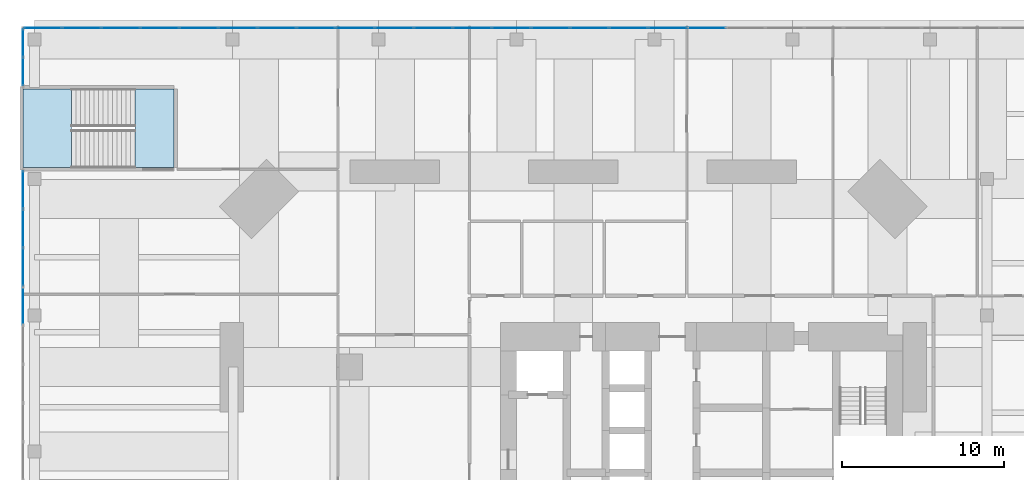
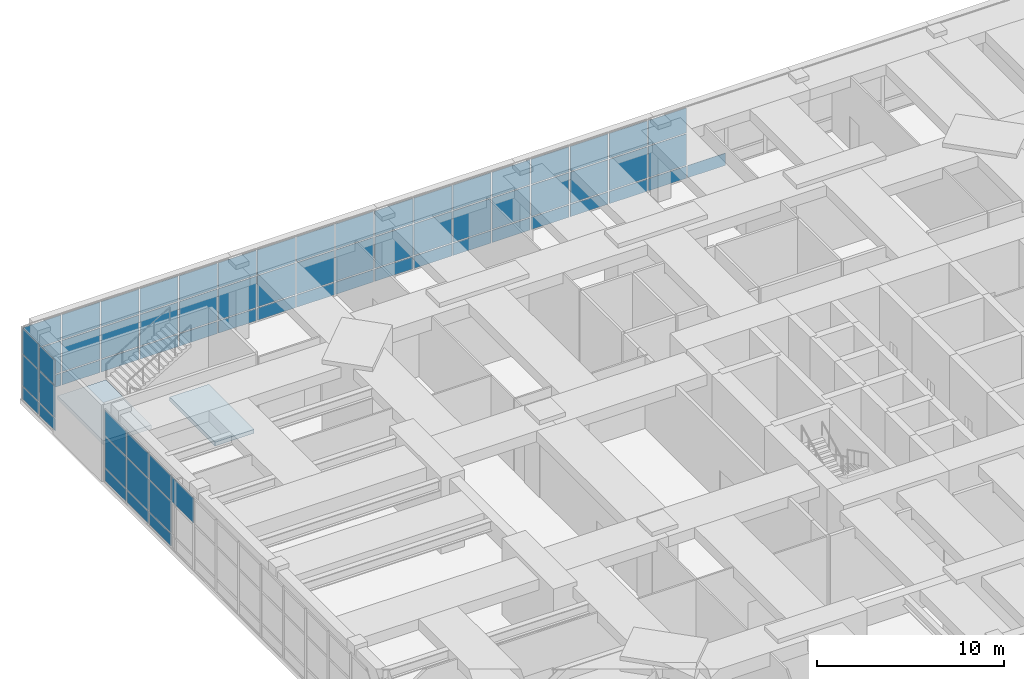
# One storey, part 16 of 24: 68 plates, 2 slabs, 4 elements without a shape of their own.
"""IFC4 building model written with IfcOpenShell, lengths in metres."""

from ifc_helpers import new_model, si_unit, direction, frame, origin, origin_2d, place, context, subcontext, project, spatial, polyline, rectangle, outline, extrude, material, layer, layer_set, type_object, element, aggregate, save


model = new_model("IFC4")

# Units and contexts
model_context = context("Model", 3, precision=1e-05, world=origin(), true_north=direction((0.0, 1.0)))
body_context = subcontext(model_context, "Body", "Model", "MODEL_VIEW")
ifc_project = project(units=[si_unit("LENGTHUNIT", "METRE"), si_unit("AREAUNIT", "SQUARE_METRE"), si_unit("VOLUMEUNIT", "CUBIC_METRE"), si_unit("PLANEANGLEUNIT", "RADIAN"), si_unit("MASSUNIT", "GRAM", prefix="KILO")], contexts=[model_context])

# Site, building, storey
site_placement = place(None, origin())
site = spatial("IfcSite", under=ifc_project, at=site_placement, CompositionType="ELEMENT")
building_placement = place(site_placement, origin())
building = spatial("IfcBuilding", under=site, at=building_placement, Name="Jalousie Tower", CompositionType="ELEMENT")
storey_placement = place(building_placement, frame((0.0, 0.0, 11.0)))
storey = spatial("IfcBuildingStorey", under=building, at=storey_placement, Name="L02", CompositionType="ELEMENT", Elevation=11.0)

# Curtain wall, plates
ifc_material_1 = material(Name="Aluminium curtain wall", Category="aluminium")
curtain_wall_type = type_object("IfcCurtainWallType", Name="PODIUM WINDOW WALL", PredefinedType="USERDEFINED", material=ifc_material_1)
curtain_wall_1_placement = place(storey_placement, origin())
curtain_wall_1 = element("IfcCurtainWall", 1, at=curtain_wall_1_placement, inside=storey, type_object=curtain_wall_type, Name="Podium Window Wall L02 21", ObjectType="PODIUM WINDOW WALL", PredefinedType="USERDEFINED")
ifc_material_2 = material(Name="Laminated impact-rated glass", Category="glass")
ifc_layer_1 = layer(ifc_material_2, 0.030029296875)
ifc_layer_set_1 = layer_set([ifc_layer_1], Name="Laminated impact-rated glass")
plate_type = type_object("IfcPlateType", Name="PODIUM WINDOW WALL PANEL", PredefinedType="CURTAIN_PANEL", material=ifc_layer_set_1)
plate_1_placement = place(storey_placement, frame((32.223388671875, 45.91259765625, 0.070068359375), z_axis=(0.0, 0.0, 1.0), x_axis=(-1.0, 0.0, 0.0)))
plate_1 = element("IfcPlate", 2, at=plate_1_placement, type_object=plate_type, Name="CW-P panel 12.1", PredefinedType="CURTAIN_PANEL", context=body_context, shape_type="SweptSolid", body=[
    extrude(rectangle(XDim=2.337646484375, YDim=0.030029296875, at=origin_2d()), origin(), (0.0, 0.0, 1.0), 0.794921875),
])
plate_2_placement = place(storey_placement, frame((29.8154296875, 45.91259765625, 0.070068359375), z_axis=(0.0, 0.0, 1.0), x_axis=(-1.0, 0.0, 0.0)))
plate_2 = element("IfcPlate", 3, at=plate_2_placement, type_object=plate_type, Name="CW-P panel 13.1", PredefinedType="CURTAIN_PANEL", context=body_context, shape_type="SweptSolid", body=[
    extrude(rectangle(XDim=2.337646484375, YDim=0.030029296875, at=origin_2d()), origin(), (0.0, 0.0, 1.0), 0.794921875),
])
plate_3_placement = place(storey_placement, frame((29.8154296875, 45.91259765625, 0.93505859375), z_axis=(0.0, 0.0, 1.0), x_axis=(-1.0, 0.0, 0.0)))
plate_3 = element("IfcPlate", 4, at=plate_3_placement, type_object=plate_type, Name="CW-P panel 13.2", PredefinedType="CURTAIN_PANEL", context=body_context, shape_type="SweptSolid", body=[
    extrude(rectangle(XDim=2.337646484375, YDim=0.030029296875, at=origin_2d()), origin(), (0.0, 0.0, 1.0), 2.030029296875),
])
plate_4_placement = place(storey_placement, frame((29.8154296875, 45.91259765625, 3.03515625), z_axis=(0.0, 0.0, 1.0), x_axis=(-1.0, 0.0, 0.0)))
plate_4 = element("IfcPlate", 5, at=plate_4_placement, type_object=plate_type, Name="CW-P panel 13.3", PredefinedType="CURTAIN_PANEL", context=body_context, shape_type="SweptSolid", body=[
    extrude(rectangle(XDim=2.337646484375, YDim=0.030029296875, at=origin_2d()), origin(), (0.0, 0.0, 1.0), 1.614990234375),
])
plate_5_placement = place(storey_placement, frame((27.40771484375, 45.91259765625, 0.070068359375), z_axis=(0.0, 0.0, 1.0), x_axis=(-1.0, 0.0, 0.0)))
plate_5 = element("IfcPlate", 6, at=plate_5_placement, type_object=plate_type, Name="CW-P panel 14.1", PredefinedType="CURTAIN_PANEL", context=body_context, shape_type="SweptSolid", body=[
    extrude(rectangle(XDim=2.337646484375, YDim=0.030029296875, at=origin_2d()), origin(), (0.0, 0.0, 1.0), 0.794921875),
])
plate_6_placement = place(storey_placement, frame((27.40771484375, 45.91259765625, 0.93505859375), z_axis=(0.0, 0.0, 1.0), x_axis=(-1.0, 0.0, 0.0)))
plate_6 = element("IfcPlate", 7, at=plate_6_placement, type_object=plate_type, Name="CW-P panel 14.2", PredefinedType="CURTAIN_PANEL", context=body_context, shape_type="SweptSolid", body=[
    extrude(rectangle(XDim=2.337646484375, YDim=0.030029296875, at=origin_2d()), origin(), (0.0, 0.0, 1.0), 2.030029296875),
])
plate_7_placement = place(storey_placement, frame((27.40771484375, 45.91259765625, 3.03515625), z_axis=(0.0, 0.0, 1.0), x_axis=(-1.0, 0.0, 0.0)))
plate_7 = element("IfcPlate", 8, at=plate_7_placement, type_object=plate_type, Name="CW-P panel 14.3", PredefinedType="CURTAIN_PANEL", context=body_context, shape_type="SweptSolid", body=[
    extrude(rectangle(XDim=2.337646484375, YDim=0.030029296875, at=origin_2d()), origin(), (0.0, 0.0, 1.0), 1.614990234375),
])
plate_8_placement = place(storey_placement, frame((25.0, 45.91259765625, 0.070068359375), z_axis=(0.0, 0.0, 1.0), x_axis=(-1.0, 0.0, 0.0)))
plate_8 = element("IfcPlate", 9, at=plate_8_placement, type_object=plate_type, Name="CW-P panel 15.1", PredefinedType="CURTAIN_PANEL", context=body_context, shape_type="SweptSolid", body=[
    extrude(rectangle(XDim=2.337646484375, YDim=0.030029296875, at=origin_2d()), origin(), (0.0, 0.0, 1.0), 0.794921875),
])
plate_9_placement = place(storey_placement, frame((25.0, 45.91259765625, 0.93505859375), z_axis=(0.0, 0.0, 1.0), x_axis=(-1.0, 0.0, 0.0)))
plate_9 = element("IfcPlate", 10, at=plate_9_placement, type_object=plate_type, Name="CW-P panel 15.2", PredefinedType="CURTAIN_PANEL", context=body_context, shape_type="SweptSolid", body=[
    extrude(rectangle(XDim=2.337646484375, YDim=0.030029296875, at=origin_2d()), origin(), (0.0, 0.0, 1.0), 2.030029296875),
])
plate_10_placement = place(storey_placement, frame((25.0, 45.91259765625, 3.03515625), z_axis=(0.0, 0.0, 1.0), x_axis=(-1.0, 0.0, 0.0)))
plate_10 = element("IfcPlate", 11, at=plate_10_placement, type_object=plate_type, Name="CW-P panel 15.3", PredefinedType="CURTAIN_PANEL", context=body_context, shape_type="SweptSolid", body=[
    extrude(rectangle(XDim=2.337646484375, YDim=0.030029296875, at=origin_2d()), origin(), (0.0, 0.0, 1.0), 1.614990234375),
])
plate_11_placement = place(storey_placement, frame((22.59228515625, 45.91259765625, 0.070068359375), z_axis=(0.0, 0.0, 1.0), x_axis=(-1.0, 0.0, 0.0)))
plate_11 = element("IfcPlate", 12, at=plate_11_placement, type_object=plate_type, Name="CW-P panel 16.1", PredefinedType="CURTAIN_PANEL", context=body_context, shape_type="SweptSolid", body=[
    extrude(rectangle(XDim=2.337646484375, YDim=0.030029296875, at=origin_2d()), origin(), (0.0, 0.0, 1.0), 0.794921875),
])
plate_12_placement = place(storey_placement, frame((22.59228515625, 45.91259765625, 0.93505859375), z_axis=(0.0, 0.0, 1.0), x_axis=(-1.0, 0.0, 0.0)))
plate_12 = element("IfcPlate", 13, at=plate_12_placement, type_object=plate_type, Name="CW-P panel 16.2", PredefinedType="CURTAIN_PANEL", context=body_context, shape_type="SweptSolid", body=[
    extrude(rectangle(XDim=2.337646484375, YDim=0.030029296875, at=origin_2d()), origin(), (0.0, 0.0, 1.0), 2.030029296875),
])
plate_13_placement = place(storey_placement, frame((22.59228515625, 45.91259765625, 3.03515625), z_axis=(0.0, 0.0, 1.0), x_axis=(-1.0, 0.0, 0.0)))
plate_13 = element("IfcPlate", 14, at=plate_13_placement, type_object=plate_type, Name="CW-P panel 16.3", PredefinedType="CURTAIN_PANEL", context=body_context, shape_type="SweptSolid", body=[
    extrude(rectangle(XDim=2.337646484375, YDim=0.030029296875, at=origin_2d()), origin(), (0.0, 0.0, 1.0), 1.614990234375),
])
plate_14_placement = place(storey_placement, frame((20.1845703125, 45.91259765625, 0.070068359375), z_axis=(0.0, 0.0, 1.0), x_axis=(-1.0, 0.0, 0.0)))
plate_14 = element("IfcPlate", 15, at=plate_14_placement, type_object=plate_type, Name="CW-P panel 17.1", PredefinedType="CURTAIN_PANEL", context=body_context, shape_type="SweptSolid", body=[
    extrude(rectangle(XDim=2.337646484375, YDim=0.030029296875, at=origin_2d()), origin(), (0.0, 0.0, 1.0), 0.794921875),
])
plate_15_placement = place(storey_placement, frame((20.1845703125, 45.91259765625, 0.93505859375), z_axis=(0.0, 0.0, 1.0), x_axis=(-1.0, 0.0, 0.0)))
plate_15 = element("IfcPlate", 16, at=plate_15_placement, type_object=plate_type, Name="CW-P panel 17.2", PredefinedType="CURTAIN_PANEL", context=body_context, shape_type="SweptSolid", body=[
    extrude(rectangle(XDim=2.337646484375, YDim=0.030029296875, at=origin_2d()), origin(), (0.0, 0.0, 1.0), 2.030029296875),
])
plate_16_placement = place(storey_placement, frame((20.1845703125, 45.91259765625, 3.03515625), z_axis=(0.0, 0.0, 1.0), x_axis=(-1.0, 0.0, 0.0)))
plate_16 = element("IfcPlate", 17, at=plate_16_placement, type_object=plate_type, Name="CW-P panel 17.3", PredefinedType="CURTAIN_PANEL", context=body_context, shape_type="SweptSolid", body=[
    extrude(rectangle(XDim=2.337646484375, YDim=0.030029296875, at=origin_2d()), origin(), (0.0, 0.0, 1.0), 1.614990234375),
])
plate_17_placement = place(storey_placement, frame((17.776611328125, 45.91259765625, 0.070068359375), z_axis=(0.0, 0.0, 1.0), x_axis=(-1.0, 0.0, 0.0)))
plate_17 = element("IfcPlate", 18, at=plate_17_placement, type_object=plate_type, Name="CW-P panel 18.1", PredefinedType="CURTAIN_PANEL", context=body_context, shape_type="SweptSolid", body=[
    extrude(rectangle(XDim=2.337646484375, YDim=0.030029296875, at=origin_2d()), origin(), (0.0, 0.0, 1.0), 0.794921875),
])
plate_18_placement = place(storey_placement, frame((17.776611328125, 45.91259765625, 0.93505859375), z_axis=(0.0, 0.0, 1.0), x_axis=(-1.0, 0.0, 0.0)))
plate_18 = element("IfcPlate", 19, at=plate_18_placement, type_object=plate_type, Name="CW-P panel 18.2", PredefinedType="CURTAIN_PANEL", context=body_context, shape_type="SweptSolid", body=[
    extrude(rectangle(XDim=2.337646484375, YDim=0.030029296875, at=origin_2d()), origin(), (0.0, 0.0, 1.0), 2.030029296875),
])
plate_19_placement = place(storey_placement, frame((17.776611328125, 45.91259765625, 3.03515625), z_axis=(0.0, 0.0, 1.0), x_axis=(-1.0, 0.0, 0.0)))
plate_19 = element("IfcPlate", 20, at=plate_19_placement, type_object=plate_type, Name="CW-P panel 18.3", PredefinedType="CURTAIN_PANEL", context=body_context, shape_type="SweptSolid", body=[
    extrude(rectangle(XDim=2.337646484375, YDim=0.030029296875, at=origin_2d()), origin(), (0.0, 0.0, 1.0), 1.614990234375),
])
plate_20_placement = place(storey_placement, frame((15.368896484375, 45.91259765625, 0.070068359375), z_axis=(0.0, 0.0, 1.0), x_axis=(-1.0, 0.0, 0.0)))
plate_20 = element("IfcPlate", 21, at=plate_20_placement, type_object=plate_type, Name="CW-P panel 19.1", PredefinedType="CURTAIN_PANEL", context=body_context, shape_type="SweptSolid", body=[
    extrude(rectangle(XDim=2.337646484375, YDim=0.030029296875, at=origin_2d()), origin(), (0.0, 0.0, 1.0), 0.794921875),
])
plate_21_placement = place(storey_placement, frame((15.368896484375, 45.91259765625, 0.93505859375), z_axis=(0.0, 0.0, 1.0), x_axis=(-1.0, 0.0, 0.0)))
plate_21 = element("IfcPlate", 22, at=plate_21_placement, type_object=plate_type, Name="CW-P panel 19.2", PredefinedType="CURTAIN_PANEL", context=body_context, shape_type="SweptSolid", body=[
    extrude(rectangle(XDim=2.337646484375, YDim=0.030029296875, at=origin_2d()), origin(), (0.0, 0.0, 1.0), 2.030029296875),
])
plate_22_placement = place(storey_placement, frame((15.368896484375, 45.91259765625, 3.03515625), z_axis=(0.0, 0.0, 1.0), x_axis=(-1.0, 0.0, 0.0)))
plate_22 = element("IfcPlate", 23, at=plate_22_placement, type_object=plate_type, Name="CW-P panel 19.3", PredefinedType="CURTAIN_PANEL", context=body_context, shape_type="SweptSolid", body=[
    extrude(rectangle(XDim=2.337646484375, YDim=0.030029296875, at=origin_2d()), origin(), (0.0, 0.0, 1.0), 1.614990234375),
])
plate_23_placement = place(storey_placement, frame((12.961181640625, 45.91259765625, 0.070068359375), z_axis=(0.0, 0.0, 1.0), x_axis=(-1.0, 0.0, 0.0)))
plate_23 = element("IfcPlate", 24, at=plate_23_placement, type_object=plate_type, Name="CW-P panel 20.1", PredefinedType="CURTAIN_PANEL", context=body_context, shape_type="SweptSolid", body=[
    extrude(rectangle(XDim=2.337646484375, YDim=0.030029296875, at=origin_2d()), origin(), (0.0, 0.0, 1.0), 0.794921875),
])
plate_24_placement = place(storey_placement, frame((12.961181640625, 45.91259765625, 0.93505859375), z_axis=(0.0, 0.0, 1.0), x_axis=(-1.0, 0.0, 0.0)))
plate_24 = element("IfcPlate", 25, at=plate_24_placement, type_object=plate_type, Name="CW-P panel 20.2", PredefinedType="CURTAIN_PANEL", context=body_context, shape_type="SweptSolid", body=[
    extrude(rectangle(XDim=2.337646484375, YDim=0.030029296875, at=origin_2d()), origin(), (0.0, 0.0, 1.0), 2.030029296875),
])
plate_25_placement = place(storey_placement, frame((12.961181640625, 45.91259765625, 3.03515625), z_axis=(0.0, 0.0, 1.0), x_axis=(-1.0, 0.0, 0.0)))
plate_25 = element("IfcPlate", 26, at=plate_25_placement, type_object=plate_type, Name="CW-P panel 20.3", PredefinedType="CURTAIN_PANEL", context=body_context, shape_type="SweptSolid", body=[
    extrude(rectangle(XDim=2.337646484375, YDim=0.030029296875, at=origin_2d()), origin(), (0.0, 0.0, 1.0), 1.614990234375),
])
plate_26_placement = place(storey_placement, frame((10.553466796875, 45.91259765625, 0.070068359375), z_axis=(0.0, 0.0, 1.0), x_axis=(-1.0, 0.0, 0.0)))
plate_26 = element("IfcPlate", 27, at=plate_26_placement, type_object=plate_type, Name="CW-P panel 21.1", PredefinedType="CURTAIN_PANEL", context=body_context, shape_type="SweptSolid", body=[
    extrude(rectangle(XDim=2.337646484375, YDim=0.030029296875, at=origin_2d()), origin(), (0.0, 0.0, 1.0), 0.794921875),
])
plate_27_placement = place(storey_placement, frame((10.553466796875, 45.91259765625, 0.93505859375), z_axis=(0.0, 0.0, 1.0), x_axis=(-1.0, 0.0, 0.0)))
plate_27 = element("IfcPlate", 28, at=plate_27_placement, type_object=plate_type, Name="CW-P panel 21.2", PredefinedType="CURTAIN_PANEL", context=body_context, shape_type="SweptSolid", body=[
    extrude(rectangle(XDim=2.337646484375, YDim=0.030029296875, at=origin_2d()), origin(), (0.0, 0.0, 1.0), 2.030029296875),
])
plate_28_placement = place(storey_placement, frame((10.553466796875, 45.91259765625, 3.03515625), z_axis=(0.0, 0.0, 1.0), x_axis=(-1.0, 0.0, 0.0)))
plate_28 = element("IfcPlate", 29, at=plate_28_placement, type_object=plate_type, Name="CW-P panel 21.3", PredefinedType="CURTAIN_PANEL", context=body_context, shape_type="SweptSolid", body=[
    extrude(rectangle(XDim=2.337646484375, YDim=0.030029296875, at=origin_2d()), origin(), (0.0, 0.0, 1.0), 1.614990234375),
])
plate_29_placement = place(storey_placement, frame((8.145751953125, 45.91259765625, 0.070068359375), z_axis=(0.0, 0.0, 1.0), x_axis=(-1.0, 0.0, 0.0)))
plate_29 = element("IfcPlate", 30, at=plate_29_placement, type_object=plate_type, Name="CW-P panel 22.1", PredefinedType="CURTAIN_PANEL", context=body_context, shape_type="SweptSolid", body=[
    extrude(rectangle(XDim=2.337646484375, YDim=0.030029296875, at=origin_2d()), origin(), (0.0, 0.0, 1.0), 0.794921875),
])
plate_30_placement = place(storey_placement, frame((8.145751953125, 45.91259765625, 0.93505859375), z_axis=(0.0, 0.0, 1.0), x_axis=(-1.0, 0.0, 0.0)))
plate_30 = element("IfcPlate", 31, at=plate_30_placement, type_object=plate_type, Name="CW-P panel 22.2", PredefinedType="CURTAIN_PANEL", context=body_context, shape_type="SweptSolid", body=[
    extrude(rectangle(XDim=2.337646484375, YDim=0.030029296875, at=origin_2d()), origin(), (0.0, 0.0, 1.0), 2.030029296875),
])
plate_31_placement = place(storey_placement, frame((8.145751953125, 45.91259765625, 3.03515625), z_axis=(0.0, 0.0, 1.0), x_axis=(-1.0, 0.0, 0.0)))
plate_31 = element("IfcPlate", 32, at=plate_31_placement, type_object=plate_type, Name="CW-P panel 22.3", PredefinedType="CURTAIN_PANEL", context=body_context, shape_type="SweptSolid", body=[
    extrude(rectangle(XDim=2.337646484375, YDim=0.030029296875, at=origin_2d()), origin(), (0.0, 0.0, 1.0), 1.614990234375),
])
plate_32_placement = place(storey_placement, frame((5.738037109375, 45.91259765625, 0.070068359375), z_axis=(0.0, 0.0, 1.0), x_axis=(-1.0, 0.0, 0.0)))
plate_32 = element("IfcPlate", 33, at=plate_32_placement, type_object=plate_type, Name="CW-P panel 23.1", PredefinedType="CURTAIN_PANEL", context=body_context, shape_type="SweptSolid", body=[
    extrude(rectangle(XDim=2.337646484375, YDim=0.030029296875, at=origin_2d()), origin(), (0.0, 0.0, 1.0), 0.794921875),
])
plate_33_placement = place(storey_placement, frame((5.738037109375, 45.91259765625, 0.93505859375), z_axis=(0.0, 0.0, 1.0), x_axis=(-1.0, 0.0, 0.0)))
plate_33 = element("IfcPlate", 34, at=plate_33_placement, type_object=plate_type, Name="CW-P panel 23.2", PredefinedType="CURTAIN_PANEL", context=body_context, shape_type="SweptSolid", body=[
    extrude(rectangle(XDim=2.337646484375, YDim=0.030029296875, at=origin_2d()), origin(), (0.0, 0.0, 1.0), 2.030029296875),
])
plate_34_placement = place(storey_placement, frame((5.738037109375, 45.91259765625, 3.03515625), z_axis=(0.0, 0.0, 1.0), x_axis=(-1.0, 0.0, 0.0)))
plate_34 = element("IfcPlate", 35, at=plate_34_placement, type_object=plate_type, Name="CW-P panel 23.3", PredefinedType="CURTAIN_PANEL", context=body_context, shape_type="SweptSolid", body=[
    extrude(rectangle(XDim=2.337646484375, YDim=0.030029296875, at=origin_2d()), origin(), (0.0, 0.0, 1.0), 1.614990234375),
])
plate_35_placement = place(storey_placement, frame((3.330078125, 45.91259765625, 0.070068359375), z_axis=(0.0, 0.0, 1.0), x_axis=(-1.0, 0.0, 0.0)))
plate_35 = element("IfcPlate", 36, at=plate_35_placement, type_object=plate_type, Name="CW-P panel 24.1", PredefinedType="CURTAIN_PANEL", context=body_context, shape_type="SweptSolid", body=[
    extrude(rectangle(XDim=2.337646484375, YDim=0.030029296875, at=origin_2d()), origin(), (0.0, 0.0, 1.0), 0.794921875),
])
plate_36_placement = place(storey_placement, frame((3.330078125, 45.91259765625, 0.93505859375), z_axis=(0.0, 0.0, 1.0), x_axis=(-1.0, 0.0, 0.0)))
plate_36 = element("IfcPlate", 37, at=plate_36_placement, type_object=plate_type, Name="CW-P panel 24.2", PredefinedType="CURTAIN_PANEL", context=body_context, shape_type="SweptSolid", body=[
    extrude(rectangle(XDim=2.337646484375, YDim=0.030029296875, at=origin_2d()), origin(), (0.0, 0.0, 1.0), 2.030029296875),
])
plate_37_placement = place(storey_placement, frame((3.330078125, 45.91259765625, 3.03515625), z_axis=(0.0, 0.0, 1.0), x_axis=(-1.0, 0.0, 0.0)))
plate_37 = element("IfcPlate", 38, at=plate_37_placement, type_object=plate_type, Name="CW-P panel 24.3", PredefinedType="CURTAIN_PANEL", context=body_context, shape_type="SweptSolid", body=[
    extrude(rectangle(XDim=2.337646484375, YDim=0.030029296875, at=origin_2d()), origin(), (0.0, 0.0, 1.0), 1.614990234375),
])
plate_38_placement = place(storey_placement, frame((0.92236328125, 45.91259765625, 0.070068359375), z_axis=(0.0, 0.0, 1.0), x_axis=(-1.0, 0.0, 0.0)))
plate_38 = element("IfcPlate", 39, at=plate_38_placement, type_object=plate_type, Name="CW-P panel 25.1", PredefinedType="CURTAIN_PANEL", context=body_context, shape_type="SweptSolid", body=[
    extrude(rectangle(XDim=2.337646484375, YDim=0.030029296875, at=origin_2d()), origin(), (0.0, 0.0, 1.0), 0.794921875),
])
plate_39_placement = place(storey_placement, frame((0.92236328125, 45.91259765625, 0.93505859375), z_axis=(0.0, 0.0, 1.0), x_axis=(-1.0, 0.0, 0.0)))
plate_39 = element("IfcPlate", 40, at=plate_39_placement, type_object=plate_type, Name="CW-P panel 25.2", PredefinedType="CURTAIN_PANEL", context=body_context, shape_type="SweptSolid", body=[
    extrude(rectangle(XDim=2.337646484375, YDim=0.030029296875, at=origin_2d()), origin(), (0.0, 0.0, 1.0), 2.030029296875),
])
plate_40_placement = place(storey_placement, frame((0.92236328125, 45.91259765625, 3.03515625), z_axis=(0.0, 0.0, 1.0), x_axis=(-1.0, 0.0, 0.0)))
plate_40 = element("IfcPlate", 41, at=plate_40_placement, type_object=plate_type, Name="CW-P panel 25.3", PredefinedType="CURTAIN_PANEL", context=body_context, shape_type="SweptSolid", body=[
    extrude(rectangle(XDim=2.337646484375, YDim=0.030029296875, at=origin_2d()), origin(), (0.0, 0.0, 1.0), 1.614990234375),
])
plate_41_placement = place(storey_placement, frame((-1.4853515625, 45.91259765625, 0.070068359375), z_axis=(0.0, 0.0, 1.0), x_axis=(-1.0, 0.0, 0.0)))
plate_41 = element("IfcPlate", 42, at=plate_41_placement, type_object=plate_type, Name="CW-P panel 26.1", PredefinedType="CURTAIN_PANEL", context=body_context, shape_type="SweptSolid", body=[
    extrude(rectangle(XDim=2.337646484375, YDim=0.030029296875, at=origin_2d()), origin(), (0.0, 0.0, 1.0), 0.794921875),
])
plate_42_placement = place(storey_placement, frame((-1.4853515625, 45.91259765625, 0.93505859375), z_axis=(0.0, 0.0, 1.0), x_axis=(-1.0, 0.0, 0.0)))
plate_42 = element("IfcPlate", 43, at=plate_42_placement, type_object=plate_type, Name="CW-P panel 26.2", PredefinedType="CURTAIN_PANEL", context=body_context, shape_type="SweptSolid", body=[
    extrude(rectangle(XDim=2.337646484375, YDim=0.030029296875, at=origin_2d()), origin(), (0.0, 0.0, 1.0), 2.030029296875),
])
plate_43_placement = place(storey_placement, frame((-1.4853515625, 45.91259765625, 3.03515625), z_axis=(0.0, 0.0, 1.0), x_axis=(-1.0, 0.0, 0.0)))
plate_43 = element("IfcPlate", 44, at=plate_43_placement, type_object=plate_type, Name="CW-P panel 26.3", PredefinedType="CURTAIN_PANEL", context=body_context, shape_type="SweptSolid", body=[
    extrude(rectangle(XDim=2.337646484375, YDim=0.030029296875, at=origin_2d()), origin(), (0.0, 0.0, 1.0), 1.614990234375),
])
plate_44_placement = place(storey_placement, frame((-3.89306640625, 45.91259765625, 0.070068359375), z_axis=(0.0, 0.0, 1.0), x_axis=(-1.0, 0.0, 0.0)))
plate_44 = element("IfcPlate", 45, at=plate_44_placement, type_object=plate_type, Name="CW-P panel 27.1", PredefinedType="CURTAIN_PANEL", context=body_context, shape_type="SweptSolid", body=[
    extrude(rectangle(XDim=2.337646484375, YDim=0.030029296875, at=origin_2d()), origin(), (0.0, 0.0, 1.0), 0.794921875),
])
plate_45_placement = place(storey_placement, frame((-3.89306640625, 45.91259765625, 0.93505859375), z_axis=(0.0, 0.0, 1.0), x_axis=(-1.0, 0.0, 0.0)))
plate_45 = element("IfcPlate", 46, at=plate_45_placement, type_object=plate_type, Name="CW-P panel 27.2", PredefinedType="CURTAIN_PANEL", context=body_context, shape_type="SweptSolid", body=[
    extrude(rectangle(XDim=2.337646484375, YDim=0.030029296875, at=origin_2d()), origin(), (0.0, 0.0, 1.0), 2.030029296875),
])
plate_46_placement = place(storey_placement, frame((-3.89306640625, 45.91259765625, 3.03515625), z_axis=(0.0, 0.0, 1.0), x_axis=(-1.0, 0.0, 0.0)))
plate_46 = element("IfcPlate", 47, at=plate_46_placement, type_object=plate_type, Name="CW-P panel 27.3", PredefinedType="CURTAIN_PANEL", context=body_context, shape_type="SweptSolid", body=[
    extrude(rectangle(XDim=2.337646484375, YDim=0.030029296875, at=origin_2d()), origin(), (0.0, 0.0, 1.0), 1.614990234375),
])
plate_47_placement = place(storey_placement, frame((-6.30078125, 45.91259765625, 0.070068359375), z_axis=(0.0, 0.0, 1.0), x_axis=(-1.0, 0.0, 0.0)))
plate_47 = element("IfcPlate", 48, at=plate_47_placement, type_object=plate_type, Name="CW-P panel 28.1", PredefinedType="CURTAIN_PANEL", context=body_context, shape_type="SweptSolid", body=[
    extrude(rectangle(XDim=2.337646484375, YDim=0.030029296875, at=origin_2d()), origin(), (0.0, 0.0, 1.0), 0.794921875),
])
plate_48_placement = place(storey_placement, frame((-6.30078125, 45.91259765625, 0.93505859375), z_axis=(0.0, 0.0, 1.0), x_axis=(-1.0, 0.0, 0.0)))
plate_48 = element("IfcPlate", 49, at=plate_48_placement, type_object=plate_type, Name="CW-P panel 28.2", PredefinedType="CURTAIN_PANEL", context=body_context, shape_type="SweptSolid", body=[
    extrude(rectangle(XDim=2.337646484375, YDim=0.030029296875, at=origin_2d()), origin(), (0.0, 0.0, 1.0), 2.030029296875),
])
plate_49_placement = place(storey_placement, frame((-6.30078125, 45.91259765625, 3.03515625), z_axis=(0.0, 0.0, 1.0), x_axis=(-1.0, 0.0, 0.0)))
plate_49 = element("IfcPlate", 50, at=plate_49_placement, type_object=plate_type, Name="CW-P panel 28.3", PredefinedType="CURTAIN_PANEL", context=body_context, shape_type="SweptSolid", body=[
    extrude(rectangle(XDim=2.337646484375, YDim=0.030029296875, at=origin_2d()), origin(), (0.0, 0.0, 1.0), 1.614990234375),
])
plate_50_placement = place(storey_placement, frame((-8.691162109375, 45.91259765625, 0.070068359375), z_axis=(0.0, 0.0, 1.0), x_axis=(-1.0, 0.0, 0.0)))
plate_50 = element("IfcPlate", 51, at=plate_50_placement, type_object=plate_type, Name="CW-P panel 29.1", PredefinedType="CURTAIN_PANEL", context=body_context, shape_type="SweptSolid", body=[
    extrude(rectangle(XDim=2.302734375, YDim=0.030029296875, at=origin_2d()), origin(), (0.0, 0.0, 1.0), 0.794921875),
])
plate_51_placement = place(storey_placement, frame((-8.691162109375, 45.91259765625, 0.93505859375), z_axis=(0.0, 0.0, 1.0), x_axis=(-1.0, 0.0, 0.0)))
plate_51 = element("IfcPlate", 52, at=plate_51_placement, type_object=plate_type, Name="CW-P panel 29.2", PredefinedType="CURTAIN_PANEL", context=body_context, shape_type="SweptSolid", body=[
    extrude(rectangle(XDim=2.302734375, YDim=0.030029296875, at=origin_2d()), origin(), (0.0, 0.0, 1.0), 2.030029296875),
])
plate_52_placement = place(storey_placement, frame((-8.691162109375, 45.91259765625, 3.03515625), z_axis=(0.0, 0.0, 1.0), x_axis=(-1.0, 0.0, 0.0)))
plate_52 = element("IfcPlate", 53, at=plate_52_placement, type_object=plate_type, Name="CW-P panel 29.3", PredefinedType="CURTAIN_PANEL", context=body_context, shape_type="SweptSolid", body=[
    extrude(rectangle(XDim=2.302734375, YDim=0.030029296875, at=origin_2d()), origin(), (0.0, 0.0, 1.0), 1.614990234375),
])
aggregate(curtain_wall_1, [plate_1, plate_2, plate_3, plate_4, plate_5, plate_6, plate_7, plate_8, plate_9, plate_10, plate_11, plate_12, plate_13, plate_14, plate_15, plate_16, plate_17, plate_18, plate_19, plate_20, plate_21, plate_22, plate_23, plate_24, plate_25, plate_26, plate_27, plate_28, plate_29, plate_30, plate_31, plate_32, plate_33, plate_34, plate_35, plate_36, plate_37, plate_38, plate_39, plate_40, plate_41, plate_42, plate_43, plate_44, plate_45, plate_46, plate_47, plate_48, plate_49, plate_50, plate_51, plate_52])

curtain_wall_2_placement = place(storey_placement, origin())
curtain_wall_2 = element("IfcCurtainWall", 54, at=curtain_wall_2_placement, inside=storey, type_object=curtain_wall_type, Name="Podium Window Wall L02 31", ObjectType="PODIUM WINDOW WALL", PredefinedType="USERDEFINED")
plate_53_placement = place(storey_placement, frame((-9.91259765625, 44.991943359375, 0.070068359375), z_axis=(0.0, 0.0, 1.0), x_axis=(0.0, -1.0, 0.0)))
plate_53 = element("IfcPlate", 55, at=plate_53_placement, type_object=plate_type, Name="CW-P panel 1.1", PredefinedType="CURTAIN_PANEL", context=body_context, shape_type="SweptSolid", body=[
    extrude(rectangle(XDim=1.701171875, YDim=0.030029296875, at=origin_2d()), origin(), (0.0, 0.0, 1.0), 0.794921875),
])
plate_54_placement = place(storey_placement, frame((-9.91259765625, 44.991943359375, 0.93505859375), z_axis=(0.0, 0.0, 1.0), x_axis=(0.0, -1.0, 0.0)))
plate_54 = element("IfcPlate", 56, at=plate_54_placement, type_object=plate_type, Name="CW-P panel 1.2", PredefinedType="CURTAIN_PANEL", context=body_context, shape_type="SweptSolid", body=[
    extrude(rectangle(XDim=1.701171875, YDim=0.030029296875, at=origin_2d()), origin(), (0.0, 0.0, 1.0), 2.030029296875),
])
plate_55_placement = place(storey_placement, frame((-9.91259765625, 44.991943359375, 3.03515625), z_axis=(0.0, 0.0, 1.0), x_axis=(0.0, -1.0, 0.0)))
plate_55 = element("IfcPlate", 57, at=plate_55_placement, type_object=plate_type, Name="CW-P panel 1.3", PredefinedType="CURTAIN_PANEL", context=body_context, shape_type="SweptSolid", body=[
    extrude(rectangle(XDim=1.701171875, YDim=0.030029296875, at=origin_2d()), origin(), (0.0, 0.0, 1.0), 1.614990234375),
])
plate_56_placement = place(storey_placement, frame((-9.91259765625, 43.220703125, 0.070068359375), z_axis=(0.0, 0.0, 1.0), x_axis=(0.0, -1.0, 0.0)))
plate_56 = element("IfcPlate", 58, at=plate_56_placement, type_object=plate_type, Name="CW-P panel 2.1", PredefinedType="CURTAIN_PANEL", context=body_context, shape_type="SweptSolid", body=[
    extrude(rectangle(XDim=1.701171875, YDim=0.030029296875, at=origin_2d()), origin(), (0.0, 0.0, 1.0), 0.794921875),
])
plate_57_placement = place(storey_placement, frame((-9.91259765625, 43.220703125, 0.93505859375), z_axis=(0.0, 0.0, 1.0), x_axis=(0.0, -1.0, 0.0)))
plate_57 = element("IfcPlate", 59, at=plate_57_placement, type_object=plate_type, Name="CW-P panel 2.2", PredefinedType="CURTAIN_PANEL", context=body_context, shape_type="SweptSolid", body=[
    extrude(rectangle(XDim=1.701171875, YDim=0.030029296875, at=origin_2d()), origin(), (0.0, 0.0, 1.0), 2.030029296875),
])
plate_58_placement = place(storey_placement, frame((-9.91259765625, 43.220703125, 3.03515625), z_axis=(0.0, 0.0, 1.0), x_axis=(0.0, -1.0, 0.0)))
plate_58 = element("IfcPlate", 60, at=plate_58_placement, type_object=plate_type, Name="CW-P panel 2.3", PredefinedType="CURTAIN_PANEL", context=body_context, shape_type="SweptSolid", body=[
    extrude(rectangle(XDim=1.701171875, YDim=0.030029296875, at=origin_2d()), origin(), (0.0, 0.0, 1.0), 1.614990234375),
])
aggregate(curtain_wall_2, [plate_53, plate_54, plate_55, plate_56, plate_57, plate_58])

curtain_wall_3_placement = place(storey_placement, origin())
curtain_wall_3 = element("IfcCurtainWall", 61, at=curtain_wall_3_placement, inside=storey, type_object=curtain_wall_type, Name="Podium Window Wall L02 33", ObjectType="PODIUM WINDOW WALL", PredefinedType="USERDEFINED")
plate_59_placement = place(storey_placement, frame((-9.91259765625, 35.936279296875, 0.070068359375), z_axis=(0.0, 0.0, 1.0), x_axis=(0.0, -1.0, 0.0)))
plate_59 = element("IfcPlate", 62, at=plate_59_placement, type_object=plate_type, Name="CW-P panel 1.1", PredefinedType="CURTAIN_PANEL", context=body_context, shape_type="SweptSolid", body=[
    extrude(rectangle(XDim=2.287353515625, YDim=0.030029296875, at=origin_2d()), origin(), (0.0, 0.0, 1.0), 0.794921875),
])
plate_60_placement = place(storey_placement, frame((-9.91259765625, 35.936279296875, 0.93505859375), z_axis=(0.0, 0.0, 1.0), x_axis=(0.0, -1.0, 0.0)))
plate_60 = element("IfcPlate", 63, at=plate_60_placement, type_object=plate_type, Name="CW-P panel 1.2", PredefinedType="CURTAIN_PANEL", context=body_context, shape_type="SweptSolid", body=[
    extrude(rectangle(XDim=2.287353515625, YDim=0.030029296875, at=origin_2d()), origin(), (0.0, 0.0, 1.0), 2.030029296875),
])
plate_61_placement = place(storey_placement, frame((-9.91259765625, 35.936279296875, 3.03515625), z_axis=(0.0, 0.0, 1.0), x_axis=(0.0, -1.0, 0.0)))
plate_61 = element("IfcPlate", 64, at=plate_61_placement, type_object=plate_type, Name="CW-P panel 1.3", PredefinedType="CURTAIN_PANEL", context=body_context, shape_type="SweptSolid", body=[
    extrude(rectangle(XDim=2.287353515625, YDim=0.030029296875, at=origin_2d()), origin(), (0.0, 0.0, 1.0), 1.614990234375),
])
plate_62_placement = place(storey_placement, frame((-9.91259765625, 33.5615234375, 0.070068359375), z_axis=(0.0, 0.0, 1.0), x_axis=(0.0, -1.0, 0.0)))
plate_62 = element("IfcPlate", 65, at=plate_62_placement, type_object=plate_type, Name="CW-P panel 2.1", PredefinedType="CURTAIN_PANEL", context=body_context, shape_type="SweptSolid", body=[
    extrude(rectangle(XDim=2.322265625, YDim=0.030029296875, at=origin_2d()), origin(), (0.0, 0.0, 1.0), 0.794921875),
])
plate_63_placement = place(storey_placement, frame((-9.91259765625, 33.5615234375, 0.93505859375), z_axis=(0.0, 0.0, 1.0), x_axis=(0.0, -1.0, 0.0)))
plate_63 = element("IfcPlate", 66, at=plate_63_placement, type_object=plate_type, Name="CW-P panel 2.2", PredefinedType="CURTAIN_PANEL", context=body_context, shape_type="SweptSolid", body=[
    extrude(rectangle(XDim=2.322265625, YDim=0.030029296875, at=origin_2d()), origin(), (0.0, 0.0, 1.0), 2.030029296875),
])
plate_64_placement = place(storey_placement, frame((-9.91259765625, 33.5615234375, 3.03515625), z_axis=(0.0, 0.0, 1.0), x_axis=(0.0, -1.0, 0.0)))
plate_64 = element("IfcPlate", 67, at=plate_64_placement, type_object=plate_type, Name="CW-P panel 2.3", PredefinedType="CURTAIN_PANEL", context=body_context, shape_type="SweptSolid", body=[
    extrude(rectangle(XDim=2.322265625, YDim=0.030029296875, at=origin_2d()), origin(), (0.0, 0.0, 1.0), 1.614990234375),
])
plate_65_placement = place(storey_placement, frame((-9.91259765625, 31.169189453125, 0.070068359375), z_axis=(0.0, 0.0, 1.0), x_axis=(0.0, -1.0, 0.0)))
plate_65 = element("IfcPlate", 68, at=plate_65_placement, type_object=plate_type, Name="CW-P panel 3.1", PredefinedType="CURTAIN_PANEL", context=body_context, shape_type="SweptSolid", body=[
    extrude(rectangle(XDim=2.322265625, YDim=0.030029296875, at=origin_2d()), origin(), (0.0, 0.0, 1.0), 0.794921875),
])
plate_66_placement = place(storey_placement, frame((-9.91259765625, 31.169189453125, 0.93505859375), z_axis=(0.0, 0.0, 1.0), x_axis=(0.0, -1.0, 0.0)))
plate_66 = element("IfcPlate", 69, at=plate_66_placement, type_object=plate_type, Name="CW-P panel 3.2", PredefinedType="CURTAIN_PANEL", context=body_context, shape_type="SweptSolid", body=[
    extrude(rectangle(XDim=2.322265625, YDim=0.030029296875, at=origin_2d()), origin(), (0.0, 0.0, 1.0), 2.030029296875),
])
plate_67_placement = place(storey_placement, frame((-9.91259765625, 31.169189453125, 3.03515625), z_axis=(0.0, 0.0, 1.0), x_axis=(0.0, -1.0, 0.0)))
plate_67 = element("IfcPlate", 70, at=plate_67_placement, type_object=plate_type, Name="CW-P panel 3.3", PredefinedType="CURTAIN_PANEL", context=body_context, shape_type="SweptSolid", body=[
    extrude(rectangle(XDim=2.322265625, YDim=0.030029296875, at=origin_2d()), origin(), (0.0, 0.0, 1.0), 1.614990234375),
])
plate_68_placement = place(storey_placement, frame((-9.91259765625, 28.77685546875, 3.03515625), z_axis=(0.0, 0.0, 1.0), x_axis=(0.0, -1.0, 0.0)))
plate_68 = element("IfcPlate", 71, at=plate_68_placement, type_object=plate_type, Name="CW-P panel 4.3", PredefinedType="CURTAIN_PANEL", context=body_context, shape_type="SweptSolid", body=[
    extrude(rectangle(XDim=2.322265625, YDim=0.030029296875, at=origin_2d()), origin(), (0.0, 0.0, 1.0), 1.614990234375),
])
aggregate(curtain_wall_3, [plate_59, plate_60, plate_61, plate_62, plate_63, plate_64, plate_65, plate_66, plate_67, plate_68])

# Stair, slabs
ifc_material_3 = material(Name="Concrete f'c 40 MPa", Category="concrete")
stair_type = type_object("IfcStairType", Name="WIDE EXIT STAIR", PredefinedType="HALF_TURN_STAIR", material=ifc_material_3)
stair_placement = place(storey_placement, origin())
stair = element("IfcStair", 72, at=stair_placement, inside=storey, type_object=stair_type, Name="Exit stair PS1 L02", PredefinedType="HALF_TURN_STAIR")
ifc_material_4 = material(Name="Concrete f'c 40 MPa", Category="concrete")
ifc_layer_2 = layer(ifc_material_4, 0.25)
ifc_layer_set_2 = layer_set([ifc_layer_2], Name="Concrete f'c 40 MPa")
slab_type = type_object("IfcSlabType", Name="STAIR LANDING 250", PredefinedType="LANDING", material=ifc_layer_set_2)
slab_1_placement = place(storey_placement, frame((0.0, 0.0, -0.25)))
slab_1 = element("IfcSlab", 73, at=slab_1_placement, type_object=slab_type, Name="PS1 landing 1", PredefinedType="LANDING", context=body_context, shape_type="SweptSolid", body=[
    extrude(outline(polyline([(-0.60009765625, 37.300048828125), (-0.60009765625, 42.14990234375), (-3.010009765625, 42.14990234375), (-3.010009765625, 37.300048828125), (-0.60009765625, 37.300048828125)])), origin(), (0.0, 0.0, 1.0), 0.25),
])
slab_2_placement = place(storey_placement, frame((0.0, 0.0, 2.25)))
slab_2 = element("IfcSlab", 74, at=slab_2_placement, type_object=slab_type, Name="PS1 landing 2", PredefinedType="LANDING", context=body_context, shape_type="SweptSolid", body=[
    extrude(outline(polyline([(-6.929931640625, 42.14990234375), (-9.89990234375, 42.14990234375), (-9.89990234375, 37.300048828125), (-6.929931640625, 37.300048828125), (-6.929931640625, 42.14990234375)])), origin(), (0.0, 0.0, 1.0), 0.25),
])
aggregate(stair, [slab_1, slab_2])

save(model, "model.ifc")
